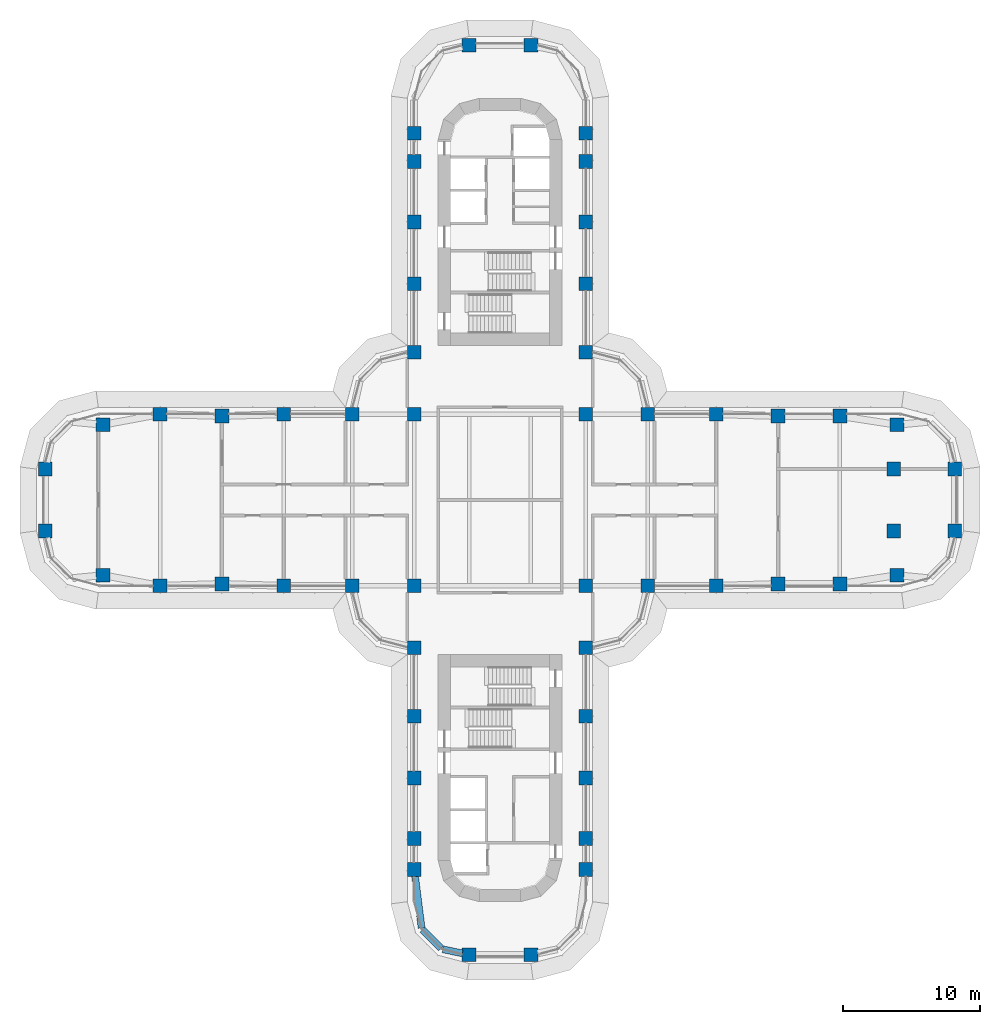
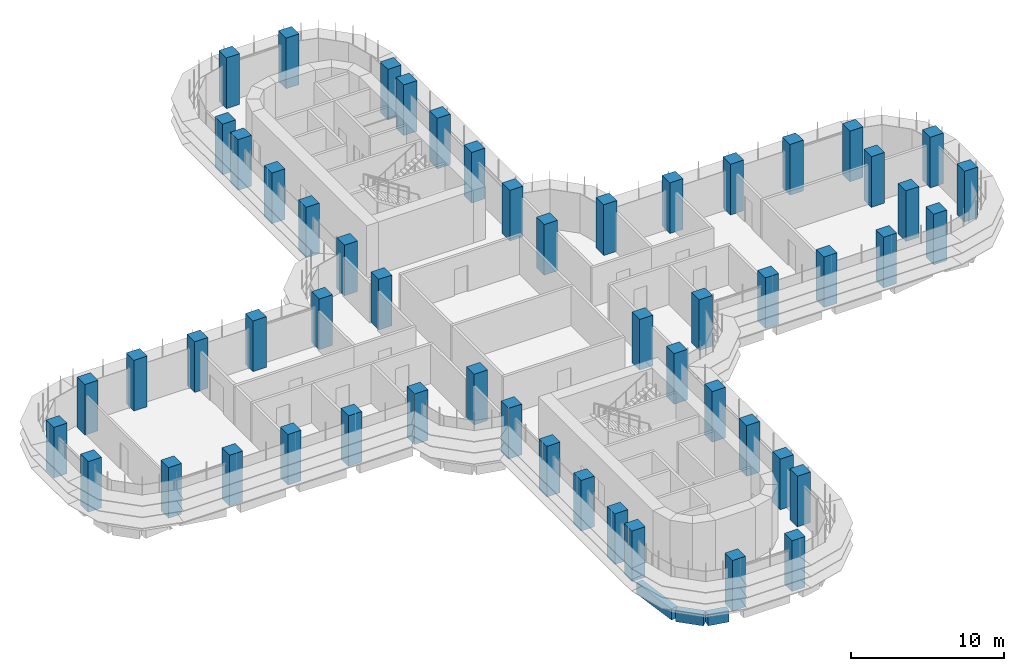
# One storey, part 1 of 23: 54 columns, 3 beams.
"""IFC4 building model written with IfcOpenShell, lengths in metres."""

import ifcopenshell
import ifcopenshell.guid

model = None  # the IFC model being written
_history = None  # IfcOwnerHistory: only IFC2X3 demands one
_inside = {}  # id of a spatial element -> (the spatial element, [elements in it])
_under = {}  # id of a project, library or spatial element -> (it, [spatial elements below it])
_declared = {}  # id of a project -> (the project, [libraries it declares])
_typed = {}  # id of a type object -> (the type object, [elements of that type])
_made_of = {}  # id of a material, layer set ... -> (it, [elements and type objects made of it])


def new_model(schema):
    """Start an empty IFC model of exactly this schema.

    Asked for "IFC4X3", IfcOpenShell would pick the latest addendum, in which some entities
    have other attributes; the version numbers below select the first issue.
    IFC2X3 requires an IfcOwnerHistory on every rooted entity: one is made here for all.
    """
    global model, _history
    if schema == "IFC4X3":
        model = ifcopenshell.file(schema_version=(4, 3, 0, 0))
    else:
        model = ifcopenshell.file(schema=schema)
    _inside.clear()
    _under.clear()
    _declared.clear()
    _typed.clear()
    _made_of.clear()
    _history = None
    if model.schema == "IFC2X3":
        org = make("IfcOrganization", Name="unknown")
        user = make(
            "IfcPersonAndOrganization",
            ThePerson=make("IfcPerson", FamilyName="unknown"),
            TheOrganization=org,
        )
        app = make(
            "IfcApplication",
            ApplicationDeveloper=org,
            Version="unknown",
            ApplicationFullName="unknown",
            ApplicationIdentifier="unknown",
        )
        _history = make(
            "IfcOwnerHistory",
            OwningUser=user,
            OwningApplication=app,
            ChangeAction="ADDED",
            CreationDate=0,
        )
    return model


def make(cls, **values):
    """One entity of the class cls with the attributes given. An attribute that is None is left unset."""
    return model.create_entity(
        cls, **{name: value for name, value in values.items() if value is not None}
    )


def rooted(cls, **values):
    """An entity with a GlobalId (a new one), such as an element, a storey or a relation."""
    return make(cls, GlobalId=ifcopenshell.guid.new(), OwnerHistory=_history, **values)


def si_unit(unit_type, name, prefix=None):
    """IfcSIUnit, for example si_unit("LENGTHUNIT", "METRE", prefix="MILLI")."""
    return make("IfcSIUnit", UnitType=unit_type, Prefix=prefix, Name=name)


def assignment(units):
    """IfcUnitAssignment: the units of a project."""
    return None if units is None else make("IfcUnitAssignment", Units=units)


def point(xyz):
    """IfcCartesianPoint."""
    return None if xyz is None else make("IfcCartesianPoint", Coordinates=xyz)


def direction(xyz):
    """IfcDirection."""
    return None if xyz is None else make("IfcDirection", DirectionRatios=xyz)


def frame(location, z_axis=None, x_axis=None):
    """IfcAxis2Placement3D, a coordinate frame: its origin and axes. An axis left out is left unset."""
    return make(
        "IfcAxis2Placement3D",
        Location=point(location),
        Axis=direction(z_axis),
        RefDirection=direction(x_axis),
    )


def frame_2d(location, x_axis=None):
    """IfcAxis2Placement2D, a coordinate frame in the plane: its origin and x axis."""
    return make(
        "IfcAxis2Placement2D", Location=point(location), RefDirection=direction(x_axis)
    )


def origin():
    """The frame at (0, 0, 0) with its axes left unset."""
    return frame((0.0, 0.0, 0.0))


def origin_2d():
    """The frame at (0, 0) in the plane with its x axis left unset."""
    return frame_2d((0.0, 0.0))


def place(relative_to, where):
    """IfcLocalPlacement: puts the frame where relative to a parent placement (None: the world)."""
    return make(
        "IfcLocalPlacement", PlacementRelTo=relative_to, RelativePlacement=where
    )


def context(
    kind, dimensions, precision=None, world=None, true_north=None, identifier=None
):
    """IfcGeometricRepresentationContext, for example the 3D "Model" context."""
    return make(
        "IfcGeometricRepresentationContext",
        ContextIdentifier=identifier,
        ContextType=kind,
        CoordinateSpaceDimension=dimensions,
        Precision=precision,
        WorldCoordinateSystem=world,
        TrueNorth=true_north,
    )


def subcontext(parent, identifier, kind, view, scale=None):
    """IfcGeometricRepresentationSubContext, for example "Body" below "Model"."""
    return make(
        "IfcGeometricRepresentationSubContext",
        ContextIdentifier=identifier,
        ContextType=kind,
        ParentContext=parent,
        TargetScale=scale,
        TargetView=view,
    )


def project(units=None, contexts=None):
    """IfcProject with its units and contexts."""
    return rooted(
        "IfcProject",
        Name="project",
        RepresentationContexts=contexts,
        UnitsInContext=assignment(units),
    )


def spatial(cls, under=None, at=None, **own):
    """A site, building, storey or space (cls), placed at a placement, below another one or the project."""
    s = rooted(cls, ObjectPlacement=at, **own)
    if under is not None:
        _under.setdefault(under.id(), (under, []))[1].append(s)
    return s


def profile(cls, at=None, kind="AREA", **sizes):
    """A parametric profile (cls). Its sizes go by their IFC names, for example OverallWidth=200.0."""
    return make(cls, ProfileType=kind, Position=at, **sizes)


def rectangle(**sizes):
    """IfcRectangleProfileDef."""
    return profile("IfcRectangleProfileDef", **sizes)


def extrude(swept, where, along, depth):
    """IfcExtrudedAreaSolid: the profile swept, set in the frame where, extruded along a direction by depth."""
    return make(
        "IfcExtrudedAreaSolid",
        SweptArea=swept,
        Position=where,
        ExtrudedDirection=direction(along),
        Depth=depth,
    )


def shape(context_of_items, identifier, shape_type, items):
    """IfcShapeRepresentation: the items that make up one representation, for example the "Body"."""
    return make(
        "IfcShapeRepresentation",
        ContextOfItems=context_of_items,
        RepresentationIdentifier=identifier,
        RepresentationType=shape_type,
        Items=items,
    )


def material(Name=None, Category=None):
    """IfcMaterial."""
    return make("IfcMaterial", Name=Name, Category=Category)


def material_profile(
    of_material, cross_section, Name=None, Category=None, Priority=None
):
    """IfcMaterialProfile: a cross section and its material."""
    return make(
        "IfcMaterialProfile",
        Name=Name,
        Material=of_material,
        Profile=cross_section,
        Priority=Priority,
        Category=Category,
    )


def profile_set(profiles, Name=None, composite=None):
    """IfcMaterialProfileSet."""
    return make(
        "IfcMaterialProfileSet",
        Name=Name,
        MaterialProfiles=profiles,
        CompositeProfile=composite,
    )


def made_of(thing, what):
    """Note that an element or type object is made of a material, layer set ...; save() writes the relation."""
    if what is not None:
        _made_of.setdefault(what.id(), (what, []))[1].append(thing)
    return thing


def type_object(cls, material=None, **own):
    """A type object (cls), such as IfcWallType, which elements share."""
    return made_of(rooted(cls, **own), material)


def element(
    cls,
    number,
    at=None,
    inside=None,
    cuts=None,
    type_object=None,
    material=None,
    context=None,
    identifier="Body",
    shape_type=None,
    held_by="IfcProductDefinitionShape",
    body=None,
    shapes=None,
    **own,
):
    """One element of the class cls, such as IfcWall. Its Tag is "e" and its number.

    at: its placement. inside: the storey or other place that contains it. cuts: it is an
    opening in that element (IfcRelVoidsElement). A single representation is given by context,
    identifier, shape_type and body (its items); several are given by shapes. held_by: the class
    of the entity that holds the representations. save() writes the other relations.
    """
    e = rooted(cls, Tag="e%d" % number, ObjectPlacement=at, **own)
    if body is not None:
        shapes = [shape(context, identifier, shape_type, body)]
    if shapes is not None:
        e.Representation = make(held_by, Representations=shapes)
    if inside is not None:
        _inside.setdefault(inside.id(), (inside, []))[1].append(e)
    if cuts is not None:
        rooted(
            "IfcRelVoidsElement", RelatingBuildingElement=cuts, RelatedOpeningElement=e
        )
    if type_object is not None:
        _typed.setdefault(type_object.id(), (type_object, []))[1].append(e)
    return made_of(e, material)


def aggregate(whole, parts):
    """IfcRelAggregates: a whole, such as a stair, and the parts it consists of."""
    return rooted("IfcRelAggregates", RelatingObject=whole, RelatedObjects=parts)


def save(model, path):
    """Write the relations noted so far, then the file.

    IfcRelAggregates (storeys below a building ...), IfcRelContainedInSpatialStructure (elements
    in a storey), IfcRelDefinesByType, IfcRelAssociatesMaterial and IfcRelDeclares: one each for
    every whole, place, type object, material and project.
    """
    for whole, parts in _under.values():
        aggregate(whole, parts)
    for where, things in _inside.values():
        rooted(
            "IfcRelContainedInSpatialStructure",
            RelatedElements=things,
            RelatingStructure=where,
        )
    for kind, things in _typed.values():
        rooted("IfcRelDefinesByType", RelatedObjects=things, RelatingType=kind)
    for what, things in _made_of.values():
        rooted("IfcRelAssociatesMaterial", RelatedObjects=things, RelatingMaterial=what)
    for by, libraries in _declared.values():
        rooted("IfcRelDeclares", RelatingContext=by, RelatedDefinitions=libraries)
    model.write(path)


model = new_model("IFC4")

# Units and contexts
model_context = context("Model", 3, precision=1e-05, world=origin(), true_north=direction((0.0, 1.0)))
body_context = subcontext(model_context, "Body", "Model", "MODEL_VIEW")
ifc_project = project(units=[si_unit("LENGTHUNIT", "METRE"), si_unit("AREAUNIT", "SQUARE_METRE"), si_unit("VOLUMEUNIT", "CUBIC_METRE"), si_unit("PLANEANGLEUNIT", "RADIAN"), si_unit("MASSUNIT", "GRAM", prefix="KILO")], contexts=[model_context])

# Site, building, storey
site_placement = place(None, origin())
site = spatial("IfcSite", under=ifc_project, at=site_placement, CompositionType="ELEMENT")
building_placement = place(site_placement, origin())
building = spatial("IfcBuilding", under=site, at=building_placement, Name="Zarbagh Exchange Tower", CompositionType="ELEMENT")
storey_placement = place(building_placement, frame((0.0, 0.0, 48.0)))
storey = spatial("IfcBuildingStorey", under=building, at=storey_placement, Name="L10", CompositionType="ELEMENT", Elevation=48.0)

# Columns
ifc_material = material(Name="Concrete C60/75", Category="concrete")
ifc_material_profile_1 = material_profile(ifc_material, rectangle(XDim=1.0, YDim=1.0, at=origin_2d()), Name="RC column 1000 x 1000 C60/75")
ifc_profile_set_1 = profile_set([ifc_material_profile_1], Name="Concrete C60/75")
column_type = type_object("IfcColumnType", Name="RC column 1000 x 1000 C60/75", PredefinedType="COLUMN", material=ifc_profile_set_1)
for number, where, z_axis, x_axis, name in (
    (1, (-33.110107421875, -2.25, 0.0), (0.0, 0.0, 1.0), (1.0, 0.0, 0.0), "C2 10/S"),
    (2, (-33.110107421875, 2.25, 0.0), (0.0, 0.0, 1.0), (1.0, 0.0, 0.0), "C2 10/T"),
    (3, (-28.907958984375, -5.47509765625, 0.0), (0.0, 0.0, 1.0), (1.0, 0.0, 0.0), "C2 11/R"),
    (4, (-28.907958984375, 5.47509765625, 0.0), (0.0, 0.0, 1.0), (1.0, 0.0, 0.0), "C2 11/U"),
    (5, (-24.75, -6.25, 0.0), (0.0, 0.0, 1.0), (1.0, 0.0, 0.0), "C2 12/R"),
    (6, (-24.75, 6.25, 0.0), (0.0, 0.0, 1.0), (1.0, 0.0, 0.0), "C2 12/U"),
    (7, (-20.25, -6.110107421875, 0.0), (0.0, 0.0, 1.0), (1.0, 0.0, 0.0), "C2 13/R"),
    (8, (-20.25, 6.110107421875, 0.0), (0.0, 0.0, 1.0), (1.0, 0.0, 0.0), "C2 13/U"),
    (9, (-15.75, -6.25, 0.0), (0.0, 0.0, 1.0), (1.0, 0.0, 0.0), "C2 14/R"),
    (10, (-15.75, 6.25, 0.0), (0.0, 0.0, 1.0), (1.0, 0.0, 0.0), "C2 14/U"),
    (11, (-10.75, -6.25, 0.0), (0.0, 0.0, 1.0), (1.0, 0.0, 0.0), "C2 15/R"),
    (12, (-10.75, 6.25, 0.0), (0.0, 0.0, 1.0), (1.0, 0.0, 0.0), "C2 15/U"),
    (13, (-6.25, -26.89990234375, 0.0), (0.0, 0.0, 1.0), (1.0, 0.0, 0.0), "C2 16/L"),
    (14, (-6.25, -24.64990234375, 0.0), (0.0, 0.0, 1.0), (1.0, 0.0, 0.0), "C2 16/M"),
    (15, (-6.25, -20.25, 0.0), (0.0, 0.0, 1.0), (1.0, 0.0, 0.0), "C2 16/N"),
    (16, (-6.25, -15.75, 0.0), (0.0, 0.0, 1.0), (1.0, 0.0, 0.0), "C2 16/P"),
    (17, (-6.25, -10.75, 0.0), (0.0, 0.0, 1.0), (1.0, 0.0, 0.0), "C2 16/Q"),
    (18, (-6.25, -6.25, 0.0), (0.0, 0.0, 1.0), (1.0, 0.0, 0.0), "C2 16/R"),
    (19, (-6.25, 6.25, 0.0), (0.0, 0.0, 1.0), (1.0, 0.0, 0.0), "C2 16/U"),
    (20, (-6.25, 10.75, 0.0), (0.0, 0.0, 1.0), (1.0, 0.0, 0.0), "C2 16/V"),
    (21, (-6.25, 15.75, 0.0), (0.0, 0.0, 1.0), (1.0, 0.0, 0.0), "C2 16/W"),
    (22, (-6.25, 20.25, 0.0), (0.0, 0.0, 1.0), (1.0, 0.0, 0.0), "C2 16/X"),
    (23, (-6.25, 24.64990234375, 0.0), (0.0, 0.0, 1.0), (1.0, 0.0, 0.0), "C2 16/Y"),
    (24, (-6.25, 26.699951171875, 0.0), (0.0, 0.0, 1.0), (1.0, 0.0, 0.0), "C2 16/Z"),
    (25, (-2.25, -33.110107421875, 0.0), (0.0, 0.0, 1.0), (1.0, 0.0, 0.0), "C2 17/K"),
    (26, (-2.25, 33.110107421875, 0.0), (0.0, 0.0, 1.0), (1.0, 0.0, 0.0), "C2 17/AA"),
    (27, (2.25, -33.110107421875, 0.0), (0.0, 0.0, 1.0), (1.0, 0.0, 0.0), "C2 18/K"),
    (28, (2.25, 33.110107421875, 0.0), (0.0, 0.0, 1.0), (1.0, 0.0, 0.0), "C2 18/AA"),
    (29, (6.25, -26.89990234375, 0.0), (0.0, 0.0, 1.0), (1.0, 0.0, 0.0), "C2 19/L"),
    (30, (6.25, -24.64990234375, 0.0), (0.0, 0.0, 1.0), (1.0, 0.0, 0.0), "C2 19/M"),
    (31, (6.25, -20.25, 0.0), (0.0, 0.0, 1.0), (1.0, 0.0, 0.0), "C2 19/N"),
    (32, (6.25, -15.75, 0.0), (0.0, 0.0, 1.0), (1.0, 0.0, 0.0), "C2 19/P"),
    (33, (6.25, -10.75, 0.0), (0.0, 0.0, 1.0), (1.0, 0.0, 0.0), "C2 19/Q"),
    (34, (6.25, -6.25, 0.0), (0.0, 0.0, 1.0), (1.0, 0.0, 0.0), "C2 19/R"),
    (35, (6.25, 6.25, 0.0), (0.0, 0.0, 1.0), (1.0, 0.0, 0.0), "C2 19/U"),
    (36, (6.25, 10.75, 0.0), (0.0, 0.0, 1.0), (1.0, 0.0, 0.0), "C2 19/V"),
    (37, (6.25, 15.75, 0.0), (0.0, 0.0, 1.0), (1.0, 0.0, 0.0), "C2 19/W"),
    (38, (6.25, 20.25, 0.0), (0.0, 0.0, 1.0), (1.0, 0.0, 0.0), "C2 19/X"),
    (39, (6.25, 24.64990234375, 0.0), (0.0, 0.0, 1.0), (1.0, 0.0, 0.0), "C2 19/Y"),
    (40, (6.25, 26.699951171875, 0.0), (0.0, 0.0, 1.0), (1.0, 0.0, 0.0), "C2 19/Z"),
    (41, (10.75, -6.25, 0.0), (0.0, 0.0, 1.0), (1.0, 0.0, 0.0), "C2 20/R"),
    (42, (10.75, 6.25, 0.0), (0.0, 0.0, 1.0), (1.0, 0.0, 0.0), "C2 20/U"),
    (43, (15.75, -6.25, 0.0), (0.0, 0.0, 1.0), (1.0, 0.0, 0.0), "C2 21/R"),
    (44, (15.75, 6.25, 0.0), (0.0, 0.0, 1.0), (1.0, 0.0, 0.0), "C2 21/U"),
    (45, (20.25, -6.110107421875, 0.0), (0.0, 0.0, 1.0), (1.0, 0.0, 0.0), "C2 22/R"),
    (46, (20.25, 6.110107421875, 0.0), (0.0, 0.0, 1.0), (1.0, 0.0, 0.0), "C2 22/U"),
    (47, (24.75, -6.110107421875, 0.0), (0.0, 0.0, 1.0), (1.0, 0.0, 0.0), "C2 23/R"),
    (48, (24.75, 6.110107421875, 0.0), (0.0, 0.0, 1.0), (1.0, 0.0, 0.0), "C2 23/U"),
    (49, (28.907958984375, -5.47509765625, 0.0), (0.0, 0.0, 1.0), (1.0, 0.0, 0.0), "C2 24/R"),
    (50, (28.669921875, -2.25, 0.0), (0.0, 0.0, 1.0), (1.0, 0.0, 0.0), "C2 24/S"),
    (51, (28.669921875, 2.25, 0.0), (0.0, 0.0, 1.0), (1.0, 0.0, 0.0), "C2 24/T"),
    (52, (28.907958984375, 5.47509765625, 0.0), (0.0, 0.0, 1.0), (1.0, 0.0, 0.0), "C2 24/U"),
    (53, (33.110107421875, -2.25, 0.0), (0.0, 0.0, 1.0), (1.0, 0.0, 0.0), "C2 25/S"),
    (54, (33.110107421875, 2.25, 0.0), (0.0, 0.0, 1.0), (1.0, 0.0, 0.0), "C2 25/T"),
):
    element("IfcColumn", number, at=place(storey_placement, frame(where, z_axis=z_axis, x_axis=x_axis)), inside=storey, type_object=column_type, Name=name, PredefinedType="COLUMN", context=body_context, shape_type="SweptSolid", body=[
        extrude(rectangle(XDim=1.0, YDim=1.0, at=origin_2d()), origin(), (0.0, 0.0, 1.0), 4.050048828125),
    ])

# Beams
ifc_material_profile_2 = material_profile(ifc_material, rectangle(XDim=0.5, YDim=0.89990234375, at=origin_2d()), Name="RC spandrel beam 500 x 900 C60/75")
ifc_profile_set_2 = profile_set([ifc_material_profile_2], Name="Concrete C60/75")
beam_type = type_object("IfcBeamType", Name="RC spandrel beam 500 x 900 C60/75", PredefinedType="SPANDREL", material=ifc_profile_set_2)
beam_1_placement = place(storey_placement, frame((-2.73974609375, -33.0087890625, -0.60009765625), z_axis=(-0.9793713725, 0.202068589164, 0.0), x_axis=(-0.202068589164, -0.9793713725, 0.0)))
element("IfcBeam", 55, at=beam_1_placement, inside=storey, type_object=beam_type, Name="RC spandrel beam", PredefinedType="SPANDREL", context=body_context, shape_type="SweptSolid", body=[
    extrude(rectangle(XDim=0.5, YDim=0.89990234375, at=origin_2d()), origin(), (0.0, 0.0, 1.0), 1.458251953125),
])
beam_2_placement = place(storey_placement, frame((-4.294189453125, -32.64599609375, -0.60009765625), z_axis=(-0.707042571718, 0.707170984825, 0.0), x_axis=(-0.707170984825, -0.707042571718, 0.0)))
element("IfcBeam", 56, at=beam_2_placement, inside=storey, type_object=beam_type, Name="RC spandrel beam", PredefinedType="SPANDREL", context=body_context, shape_type="SweptSolid", body=[
    extrude(rectangle(XDim=0.5, YDim=0.89990234375, at=origin_2d()), origin(), (0.0, 0.0, 1.0), 1.901123046875),
])
beam_3_placement = place(storey_placement, frame((-5.709716796875, -31.156494140625, -0.60009765625), z_axis=(-0.12591317752, 0.992041265133, 0.0), x_axis=(-0.992041265133, -0.12591317752, 0.0)))
element("IfcBeam", 57, at=beam_3_placement, inside=storey, type_object=beam_type, Name="RC spandrel beam", PredefinedType="SPANDREL", context=body_context, shape_type="SweptSolid", body=[
    extrude(rectangle(XDim=0.5, YDim=0.89990234375, at=origin_2d()), origin(), (0.0, 0.0, 1.0), 3.790771484375),
])

save(model, "model.ifc")
